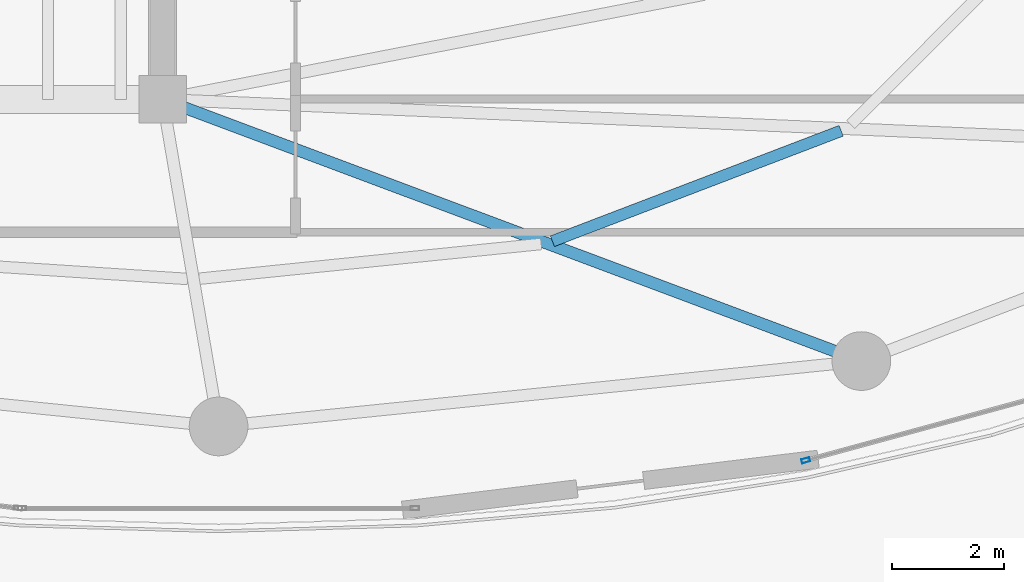
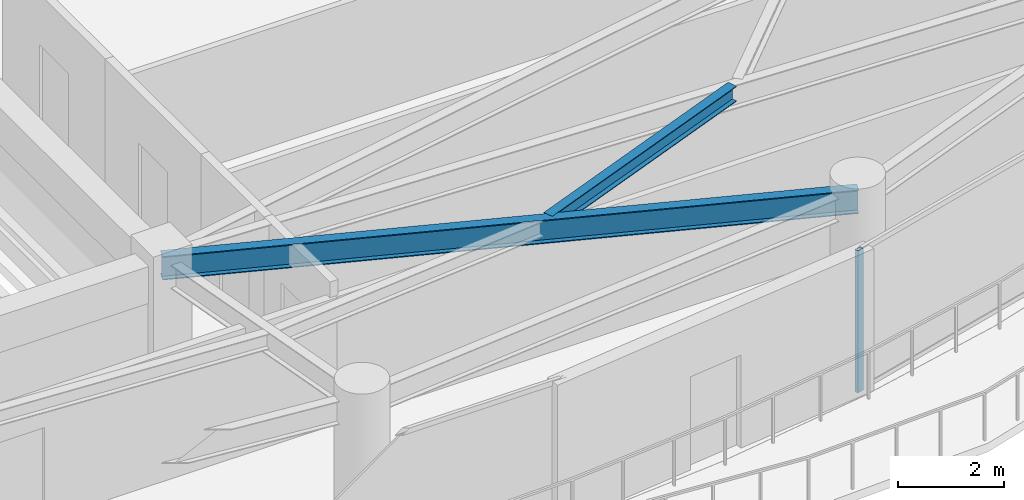
# One storey, part 10 of 29: 2 beams, 1 member, 1 element without a shape of its own.
"""IFC4 building model written with IfcOpenShell, lengths in metres."""

from ifc_helpers import new_model, si_unit, direction, frame, origin, origin_2d, place, context, subcontext, project, spatial, hollow_rectangle, i_section, extrude, material, layer, layer_set, material_profile, profile_set, type_object, element, aggregate, save


model = new_model("IFC4")

# Units and contexts
model_context = context("Model", 3, precision=1e-05, world=origin(), true_north=direction((0.0, 1.0)))
body_context = subcontext(model_context, "Body", "Model", "MODEL_VIEW")
ifc_project = project(units=[si_unit("LENGTHUNIT", "METRE"), si_unit("AREAUNIT", "SQUARE_METRE"), si_unit("VOLUMEUNIT", "CUBIC_METRE"), si_unit("PLANEANGLEUNIT", "RADIAN"), si_unit("MASSUNIT", "GRAM", prefix="KILO")], contexts=[model_context])

# Site, building, storey
site_placement = place(None, origin())
site = spatial("IfcSite", under=ifc_project, at=site_placement, CompositionType="ELEMENT")
building_placement = place(site_placement, origin())
building = spatial("IfcBuilding", under=site, at=building_placement, Name="Kazevale Care Tower and Concert Hall", CompositionType="ELEMENT")
storey_placement = place(building_placement, frame((0.0, 0.0, 249.60009765625)))
storey = spatial("IfcBuildingStorey", under=building, at=storey_placement, Name="L66", CompositionType="ELEMENT", Elevation=249.60009765625)

# Curtain wall, member
ifc_material_1 = material(Name="Aluminium 6063-T6 and Low-E Glass", Category="aluminium")
ifc_layer = layer(ifc_material_1, 0.179931640625)
ifc_layer_set = layer_set([ifc_layer], Name="Aluminium 6063-T6 and Low-E Glass")
curtain_wall_type = type_object("IfcCurtainWallType", Name="Sheltered Concave Balcony Curtain Wall CW-5", PredefinedType="NOTDEFINED", material=ifc_layer_set)
curtain_wall_placement = place(storey_placement, origin())
curtain_wall = element("IfcCurtainWall", 1, at=curtain_wall_placement, inside=storey, type_object=curtain_wall_type, Name="cw:L66:f04", PredefinedType="NOTDEFINED")
ifc_material_2 = material(Name="Aluminium 6063-T6", Category="aluminium")
ifc_material_profile_1 = material_profile(ifc_material_2, hollow_rectangle(XDim=0.074951171875, YDim=0.14990234375, WallThickness=0.00390625, at=origin_2d()), Name="ALU75x150x4")
ifc_profile_set_1 = profile_set([ifc_material_profile_1], Name="Aluminium 6063-T6")
member_type = type_object("IfcMemberType", Name="CW-5 Mullion ALU75x150x4", PredefinedType="MULLION", material=ifc_profile_set_1)
member_placement = place(storey_placement, frame((55.505126953125, 17.142822265625, 0.0), z_axis=(0.0, 0.0, 1.0), x_axis=(0.262848968947, -0.964836991167, 0.0)))
member = element("IfcMember", 2, at=member_placement, type_object=member_type, Name="CW-5 mullion 2", PredefinedType="MULLION", context=body_context, shape_type="SweptSolid", body=[
    extrude(hollow_rectangle(XDim=0.074951171875, YDim=0.14990234375, WallThickness=0.00390625, at=origin_2d()), origin(), (0.0, 0.0, 1.0), 3.27978515625),
])
aggregate(curtain_wall, [member])

# Beams
ifc_material_3 = material(Name="Steel ASTM A572 Gr 50", Category="steel")
ifc_material_profile_2 = material_profile(ifc_material_3, i_section(OverallWidth=0.2119140625, OverallDepth=0.5439453125, WebThickness=0.01318359375, FlangeThickness=0.021240234375, at=origin_2d()), Name="W530x123")
ifc_profile_set_2 = profile_set([ifc_material_profile_2], Name="Steel ASTM A572 Gr 50")
beam_type_1 = type_object("IfcBeamType", Name="Radial Floor Girder W530x123", PredefinedType="BEAM", material=ifc_profile_set_2)
beam_1_placement = place(storey_placement, frame((44.0, 23.60009765625, 3.0078125), z_axis=(0.936509460339, -0.350642311615, 0.0), x_axis=(0.350642311615, 0.936509460339, 0.0)))
element("IfcBeam", 3, at=beam_1_placement, inside=storey, type_object=beam_type_1, Name="beam:L66:rad:14", PredefinedType="BEAM", context=body_context, shape_type="SweptSolid", body=[
    extrude(i_section(OverallWidth=0.2119140625, OverallDepth=0.5439453125, WebThickness=0.01318359375, FlangeThickness=0.021240234375, at=origin_2d()), origin(), (0.0, 0.0, 1.0), 13.347412109375),
])
ifc_material_profile_3 = material_profile(ifc_material_3, i_section(OverallWidth=0.205078125, OverallDepth=0.35400390625, WebThickness=0.009521484375, FlangeThickness=0.016845703125, at=origin_2d()), Name="W360x79")
ifc_profile_set_3 = profile_set([ifc_material_profile_3], Name="Steel ASTM A572 Gr 50")
beam_type_2 = type_object("IfcBeamType", Name="Secondary Floor Joist W360x79", PredefinedType="JOIST", material=ifc_profile_set_3)
beam_2_placement = place(storey_placement, frame((50.972900390625, 21.06396484375, 3.102783203125), z_axis=(0.934001589337, 0.35726884991, 0.0), x_axis=(-0.35726884991, 0.934001589337, 0.0)))
element("IfcBeam", 4, at=beam_2_placement, inside=storey, type_object=beam_type_2, Name="beam:L66:joist:14", PredefinedType="JOIST", context=body_context, shape_type="SweptSolid", body=[
    extrude(i_section(OverallWidth=0.205078125, OverallDepth=0.35400390625, WebThickness=0.009521484375, FlangeThickness=0.016845703125, at=origin_2d()), origin(), (0.0, 0.0, 1.0), 5.531005859375),
])

save(model, "model.ifc")
